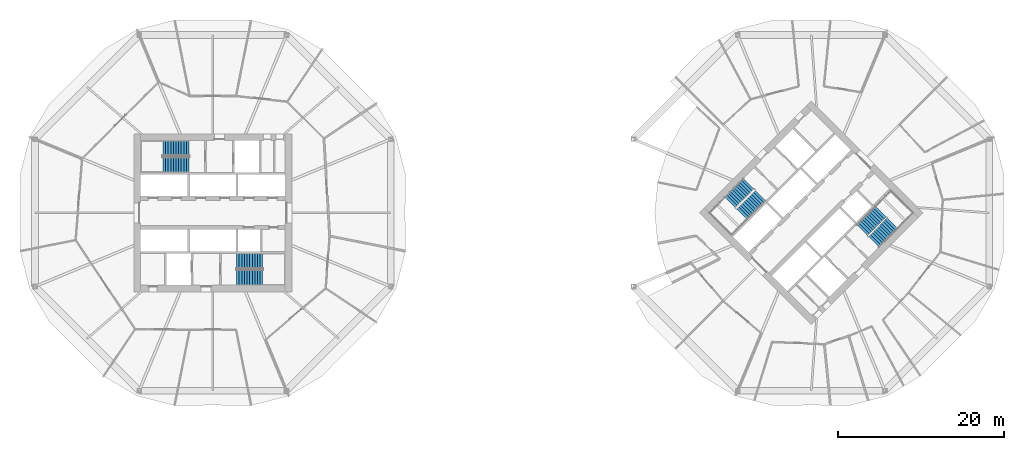
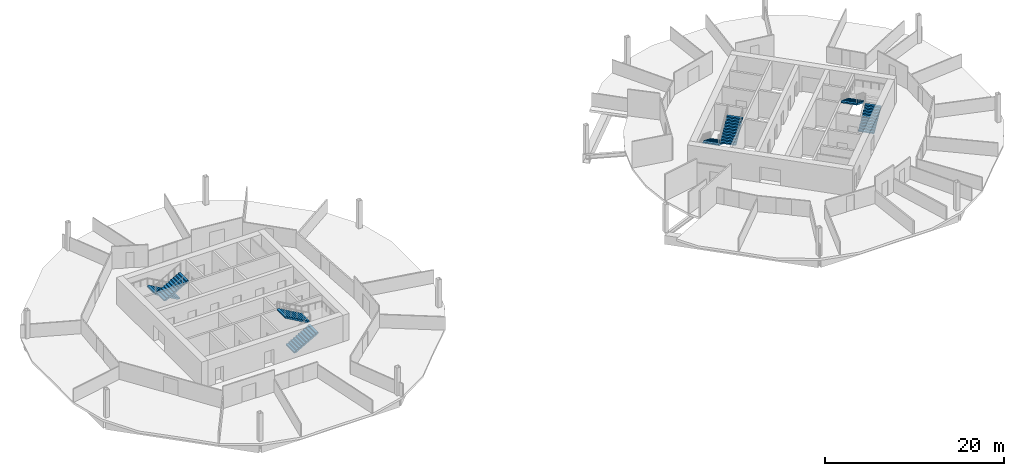
# One storey, part 8 of 9: 8 stair flights, 4 elements without a shape of their own.
"""IFC4 building model written with IfcOpenShell, lengths in metres."""

from ifc_helpers import new_model, si_unit, direction, frame, origin, place, context, subcontext, project, spatial, polyline, outline, extrude, material, type_object, element, aggregate, save


model = new_model("IFC4")

# Units and contexts
model_context = context("Model", 3, precision=1e-05, world=origin(), true_north=direction((0.0, 1.0)))
body_context = subcontext(model_context, "Body", "Model", "MODEL_VIEW")
ifc_project = project(units=[si_unit("LENGTHUNIT", "METRE"), si_unit("AREAUNIT", "SQUARE_METRE"), si_unit("VOLUMEUNIT", "CUBIC_METRE"), si_unit("PLANEANGLEUNIT", "RADIAN"), si_unit("MASSUNIT", "GRAM", prefix="KILO")], contexts=[model_context])

# Site, building, storey
site_placement = place(None, origin())
site = spatial("IfcSite", under=ifc_project, at=site_placement, CompositionType="ELEMENT")
building_placement = place(site_placement, origin())
building = spatial("IfcBuilding", under=site, at=building_placement, Name="Ogive Gate Towers", CompositionType="ELEMENT")
storey_placement = place(building_placement, frame((0.0, 0.0, 111.300048828125)))
storey = spatial("IfcBuildingStorey", under=building, at=storey_placement, Name="L26", CompositionType="ELEMENT", Elevation=111.300048828125)

# Stair, stair flights
ifc_material = material(Name="Concrete C40/50", Category="concrete")
stair_type = type_object("IfcStairType", Name="Escape stair 1840 wide", PredefinedType="HALF_TURN_STAIR", material=ifc_material)
stair_1_placement = place(storey_placement, origin())
stair_1 = element("IfcStair", 1, at=stair_1_placement, inside=storey, type_object=stair_type, Name="L26 Escape stair 1", PredefinedType="HALF_TURN_STAIR")
stair_flight_type = type_object("IfcStairFlightType", Name="Stair flight 1840 wide", PredefinedType="STRAIGHT", material=ifc_material)
stair_flight_1_placement = place(storey_placement, frame((-38.864990234375, 7.780029296875, 0.0), z_axis=(0.0, 0.0, 1.0), x_axis=(-1.0, 0.0, 0.0)))
stair_flight_1 = element("IfcStairFlight", 2, at=stair_flight_1_placement, type_object=stair_flight_type, Name="ST1 flight 1", NumberOfRisers=11, NumberOfTreads=10, PredefinedType="STRAIGHT", RiserHeight=0.177272727, TreadLength=0.313636364, context=body_context, shape_type="SweptSolid", body=[
    extrude(outline(polyline([(0.0, 0.0), (0.0, 0.17724609375), (0.313720703125, 0.17724609375), (0.313720703125, 0.3544921875), (0.627197265625, 0.3544921875), (0.627197265625, 0.53173828125), (0.94091796875, 0.53173828125), (0.94091796875, 0.708984375), (1.254638671875, 0.708984375), (1.254638671875, 0.886474609375), (1.568115234375, 0.886474609375), (1.568115234375, 1.063720703125), (1.8818359375, 1.063720703125), (1.8818359375, 1.240966796875), (2.195556640625, 1.240966796875), (2.195556640625, 1.418212890625), (2.509033203125, 1.418212890625), (2.509033203125, 1.595458984375), (2.82275390625, 1.595458984375), (2.82275390625, 1.772705078125), (3.136474609375, 1.772705078125), (3.136474609375, 1.949951171875), (3.136474609375, 1.6005859375), (0.3046875, 0.0), (0.0, 0.0)])), frame((0.0, 0.919921875, 0.0), z_axis=(0.0, -1.0, 0.0), x_axis=(1.0, 0.0, 0.0)), (0.0, 0.0, 1.0), 1.840087890625),
])
stair_flight_2_placement = place(storey_placement, frame((-42.00146484375, 5.794921875, 1.949951171875), z_axis=(0.0, 0.0, 1.0), x_axis=(1.0, 0.0, 0.0)))
stair_flight_2 = element("IfcStairFlight", 3, at=stair_flight_2_placement, type_object=stair_flight_type, Name="ST1 flight 2", NumberOfRisers=11, NumberOfTreads=10, PredefinedType="STRAIGHT", RiserHeight=0.177272727, TreadLength=0.313636364, context=body_context, shape_type="SweptSolid", body=[
    extrude(outline(polyline([(0.0, 0.0), (0.0, 0.17724609375), (0.313720703125, 0.17724609375), (0.313720703125, 0.3544921875), (0.627197265625, 0.3544921875), (0.627197265625, 0.53173828125), (0.94091796875, 0.53173828125), (0.94091796875, 0.708984375), (1.254638671875, 0.708984375), (1.254638671875, 0.886474609375), (1.568115234375, 0.886474609375), (1.568115234375, 1.063720703125), (1.8818359375, 1.063720703125), (1.8818359375, 1.240966796875), (2.195556640625, 1.240966796875), (2.195556640625, 1.418212890625), (2.509033203125, 1.418212890625), (2.509033203125, 1.595458984375), (2.82275390625, 1.595458984375), (2.82275390625, 1.772705078125), (3.136474609375, 1.772705078125), (3.136474609375, 1.949951171875), (3.136474609375, 1.6005859375), (0.3046875, 0.0), (0.0, 0.0)])), frame((0.0, 0.919921875, 0.0), z_axis=(0.0, -1.0, 0.0), x_axis=(1.0, 0.0, 0.0)), (0.0, 0.0, 1.0), 1.840087890625),
])
aggregate(stair_1, [stair_flight_1, stair_flight_2])

stair_2_placement = place(storey_placement, origin())
stair_2 = element("IfcStair", 4, at=stair_2_placement, inside=storey, type_object=stair_type, Name="L26 Escape stair 2", PredefinedType="HALF_TURN_STAIR")
stair_flight_3_placement = place(storey_placement, frame((-33.135009765625, -7.780029296875, 0.0), z_axis=(0.0, 0.0, 1.0), x_axis=(1.0, 0.0, 0.0)))
stair_flight_3 = element("IfcStairFlight", 5, at=stair_flight_3_placement, type_object=stair_flight_type, Name="ST2 flight 1", NumberOfRisers=11, NumberOfTreads=10, PredefinedType="STRAIGHT", RiserHeight=0.177272727, TreadLength=0.313636364, context=body_context, shape_type="SweptSolid", body=[
    extrude(outline(polyline([(0.0, 0.0), (0.0, 0.17724609375), (0.313720703125, 0.17724609375), (0.313720703125, 0.3544921875), (0.627197265625, 0.3544921875), (0.627197265625, 0.53173828125), (0.94091796875, 0.53173828125), (0.94091796875, 0.708984375), (1.254638671875, 0.708984375), (1.254638671875, 0.886474609375), (1.568115234375, 0.886474609375), (1.568115234375, 1.063720703125), (1.8818359375, 1.063720703125), (1.8818359375, 1.240966796875), (2.195556640625, 1.240966796875), (2.195556640625, 1.418212890625), (2.509033203125, 1.418212890625), (2.509033203125, 1.595458984375), (2.82275390625, 1.595458984375), (2.82275390625, 1.772705078125), (3.136474609375, 1.772705078125), (3.136474609375, 1.949951171875), (3.136474609375, 1.6005859375), (0.3046875, 0.0), (0.0, 0.0)])), frame((0.0, 0.919921875, 0.0), z_axis=(0.0, -1.0, 0.0), x_axis=(1.0, 0.0, 0.0)), (0.0, 0.0, 1.0), 1.840087890625),
])
stair_flight_4_placement = place(storey_placement, frame((-29.99853515625, -5.794921875, 1.949951171875), z_axis=(0.0, 0.0, 1.0), x_axis=(-1.0, 0.0, 0.0)))
stair_flight_4 = element("IfcStairFlight", 6, at=stair_flight_4_placement, type_object=stair_flight_type, Name="ST2 flight 2", NumberOfRisers=11, NumberOfTreads=10, PredefinedType="STRAIGHT", RiserHeight=0.177272727, TreadLength=0.313636364, context=body_context, shape_type="SweptSolid", body=[
    extrude(outline(polyline([(0.0, 0.0), (0.0, 0.17724609375), (0.313720703125, 0.17724609375), (0.313720703125, 0.3544921875), (0.627197265625, 0.3544921875), (0.627197265625, 0.53173828125), (0.94091796875, 0.53173828125), (0.94091796875, 0.708984375), (1.254638671875, 0.708984375), (1.254638671875, 0.886474609375), (1.568115234375, 0.886474609375), (1.568115234375, 1.063720703125), (1.8818359375, 1.063720703125), (1.8818359375, 1.240966796875), (2.195556640625, 1.240966796875), (2.195556640625, 1.418212890625), (2.509033203125, 1.418212890625), (2.509033203125, 1.595458984375), (2.82275390625, 1.595458984375), (2.82275390625, 1.772705078125), (3.136474609375, 1.772705078125), (3.136474609375, 1.949951171875), (3.136474609375, 1.6005859375), (0.3046875, 0.0), (0.0, 0.0)])), frame((0.0, 0.919921875, 0.0), z_axis=(0.0, -1.0, 0.0), x_axis=(1.0, 0.0, 0.0)), (0.0, 0.0, 1.0), 1.840087890625),
])
aggregate(stair_2, [stair_flight_3, stair_flight_4])

stair_3_placement = place(storey_placement, origin())
stair_3 = element("IfcStair", 7, at=stair_3_placement, inside=storey, type_object=stair_type, Name="L26 Escape stair 1", PredefinedType="HALF_TURN_STAIR")
stair_flight_5_placement = place(storey_placement, frame((28.472900390625, 3.475341796875, 0.0), z_axis=(0.0, 0.0, 1.0), x_axis=(-0.707106781187, -0.707106781187, 0.0)))
stair_flight_5 = element("IfcStairFlight", 8, at=stair_flight_5_placement, type_object=stair_flight_type, Name="ST1 flight 1", NumberOfRisers=11, NumberOfTreads=10, PredefinedType="STRAIGHT", RiserHeight=0.177272727, TreadLength=0.313636364, context=body_context, shape_type="SweptSolid", body=[
    extrude(outline(polyline([(0.0, 0.0), (0.0, 0.17724609375), (0.313720703125, 0.17724609375), (0.313720703125, 0.3544921875), (0.627197265625, 0.3544921875), (0.627197265625, 0.53173828125), (0.94091796875, 0.53173828125), (0.94091796875, 0.708984375), (1.254638671875, 0.708984375), (1.254638671875, 0.886474609375), (1.568115234375, 0.886474609375), (1.568115234375, 1.063720703125), (1.8818359375, 1.063720703125), (1.8818359375, 1.240966796875), (2.195556640625, 1.240966796875), (2.195556640625, 1.418212890625), (2.509033203125, 1.418212890625), (2.509033203125, 1.595458984375), (2.82275390625, 1.595458984375), (2.82275390625, 1.772705078125), (3.136474609375, 1.772705078125), (3.136474609375, 1.949951171875), (3.136474609375, 1.6005859375), (0.3046875, 0.0), (0.0, 0.0)])), frame((0.0, 0.919921875, 0.0), z_axis=(0.0, -1.0, 0.0), x_axis=(1.0, 0.0, 0.0)), (0.0, 0.0, 1.0), 1.840087890625),
])
stair_flight_6_placement = place(storey_placement, frame((27.65869140625, -0.14599609375, 1.949951171875), z_axis=(0.0, 0.0, 1.0), x_axis=(0.707106781187, 0.707106781187, 0.0)))
stair_flight_6 = element("IfcStairFlight", 9, at=stair_flight_6_placement, type_object=stair_flight_type, Name="ST1 flight 2", NumberOfRisers=11, NumberOfTreads=10, PredefinedType="STRAIGHT", RiserHeight=0.177272727, TreadLength=0.313636364, context=body_context, shape_type="SweptSolid", body=[
    extrude(outline(polyline([(0.0, 0.0), (0.0, 0.17724609375), (0.313720703125, 0.17724609375), (0.313720703125, 0.3544921875), (0.627197265625, 0.3544921875), (0.627197265625, 0.53173828125), (0.94091796875, 0.53173828125), (0.94091796875, 0.708984375), (1.254638671875, 0.708984375), (1.254638671875, 0.886474609375), (1.568115234375, 0.886474609375), (1.568115234375, 1.063720703125), (1.8818359375, 1.063720703125), (1.8818359375, 1.240966796875), (2.195556640625, 1.240966796875), (2.195556640625, 1.418212890625), (2.509033203125, 1.418212890625), (2.509033203125, 1.595458984375), (2.82275390625, 1.595458984375), (2.82275390625, 1.772705078125), (3.136474609375, 1.772705078125), (3.136474609375, 1.949951171875), (3.136474609375, 1.6005859375), (0.3046875, 0.0), (0.0, 0.0)])), frame((0.0, 0.919921875, 0.0), z_axis=(0.0, -1.0, 0.0), x_axis=(1.0, 0.0, 0.0)), (0.0, 0.0, 1.0), 1.840087890625),
])
aggregate(stair_3, [stair_flight_5, stair_flight_6])

stair_4_placement = place(storey_placement, origin())
stair_4 = element("IfcStair", 10, at=stair_4_placement, inside=storey, type_object=stair_type, Name="L26 Escape stair 2", PredefinedType="HALF_TURN_STAIR")
stair_flight_7_placement = place(storey_placement, frame((43.527099609375, -3.475341796875, 0.0), z_axis=(0.0, 0.0, 1.0), x_axis=(0.707106781187, 0.707106781187, 0.0)))
stair_flight_7 = element("IfcStairFlight", 11, at=stair_flight_7_placement, type_object=stair_flight_type, Name="ST2 flight 1", NumberOfRisers=11, NumberOfTreads=10, PredefinedType="STRAIGHT", RiserHeight=0.177272727, TreadLength=0.313636364, context=body_context, shape_type="SweptSolid", body=[
    extrude(outline(polyline([(0.0, 0.0), (0.0, 0.17724609375), (0.313720703125, 0.17724609375), (0.313720703125, 0.3544921875), (0.627197265625, 0.3544921875), (0.627197265625, 0.53173828125), (0.94091796875, 0.53173828125), (0.94091796875, 0.708984375), (1.254638671875, 0.708984375), (1.254638671875, 0.886474609375), (1.568115234375, 0.886474609375), (1.568115234375, 1.063720703125), (1.8818359375, 1.063720703125), (1.8818359375, 1.240966796875), (2.195556640625, 1.240966796875), (2.195556640625, 1.418212890625), (2.509033203125, 1.418212890625), (2.509033203125, 1.595458984375), (2.82275390625, 1.595458984375), (2.82275390625, 1.772705078125), (3.136474609375, 1.772705078125), (3.136474609375, 1.949951171875), (3.136474609375, 1.6005859375), (0.3046875, 0.0), (0.0, 0.0)])), frame((0.0, 0.919921875, 0.0), z_axis=(0.0, -1.0, 0.0), x_axis=(1.0, 0.0, 0.0)), (0.0, 0.0, 1.0), 1.840087890625),
])
stair_flight_8_placement = place(storey_placement, frame((44.34130859375, 0.14599609375, 1.949951171875), z_axis=(0.0, 0.0, 1.0), x_axis=(-0.707106781187, -0.707106781187, 0.0)))
stair_flight_8 = element("IfcStairFlight", 12, at=stair_flight_8_placement, type_object=stair_flight_type, Name="ST2 flight 2", NumberOfRisers=11, NumberOfTreads=10, PredefinedType="STRAIGHT", RiserHeight=0.177272727, TreadLength=0.313636364, context=body_context, shape_type="SweptSolid", body=[
    extrude(outline(polyline([(0.0, 0.0), (0.0, 0.17724609375), (0.313720703125, 0.17724609375), (0.313720703125, 0.3544921875), (0.627197265625, 0.3544921875), (0.627197265625, 0.53173828125), (0.94091796875, 0.53173828125), (0.94091796875, 0.708984375), (1.254638671875, 0.708984375), (1.254638671875, 0.886474609375), (1.568115234375, 0.886474609375), (1.568115234375, 1.063720703125), (1.8818359375, 1.063720703125), (1.8818359375, 1.240966796875), (2.195556640625, 1.240966796875), (2.195556640625, 1.418212890625), (2.509033203125, 1.418212890625), (2.509033203125, 1.595458984375), (2.82275390625, 1.595458984375), (2.82275390625, 1.772705078125), (3.136474609375, 1.772705078125), (3.136474609375, 1.949951171875), (3.136474609375, 1.6005859375), (0.3046875, 0.0), (0.0, 0.0)])), frame((0.0, 0.919921875, 0.0), z_axis=(0.0, -1.0, 0.0), x_axis=(1.0, 0.0, 0.0)), (0.0, 0.0, 1.0), 1.840087890625),
])
aggregate(stair_4, [stair_flight_7, stair_flight_8])

save(model, "model.ifc")
